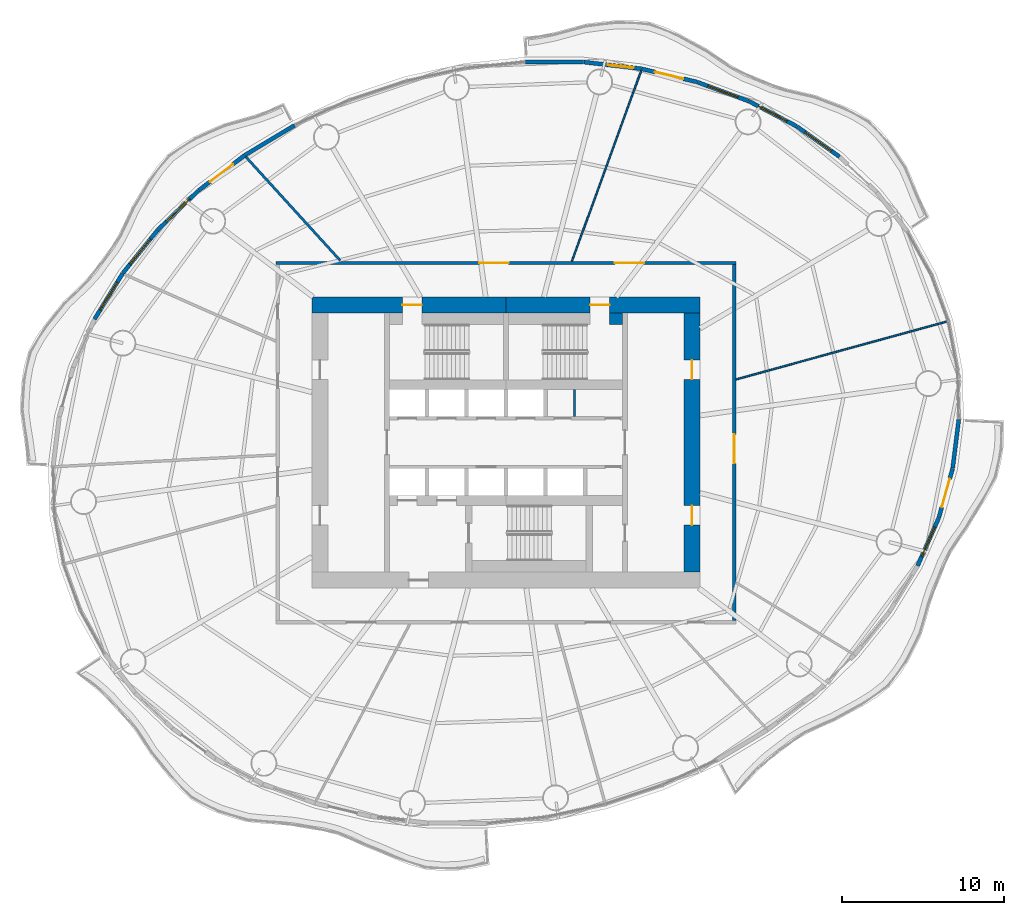
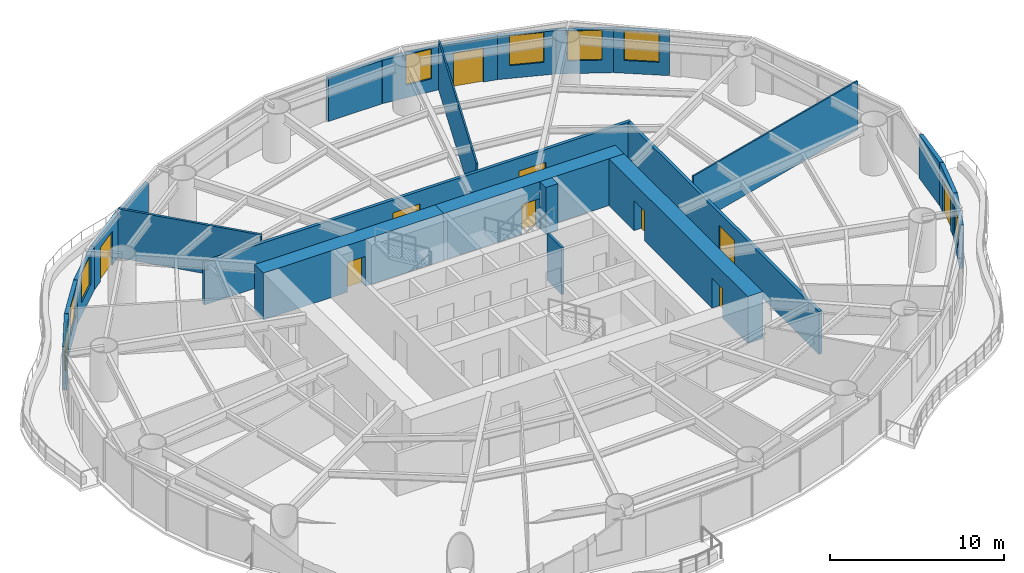
# One storey, part 10 of 16: 24 walls, 10 doors, 8 windows, 18 openings.
"""IFC4 building model written with IfcOpenShell, lengths in metres."""

from ifc_helpers import new_model, si_unit, direction, frame, frame_2d, origin, place, context, subcontext, project, spatial, rectangle, extrude, material, layer, layer_set, type_object, element, fill, save


model = new_model("IFC4")

# Units and contexts
model_context = context("Model", 3, precision=1e-05, world=origin(), true_north=direction((0.0, 1.0)))
body_context = subcontext(model_context, "Body", "Model", "MODEL_VIEW")
ifc_project = project(units=[si_unit("LENGTHUNIT", "METRE"), si_unit("AREAUNIT", "SQUARE_METRE"), si_unit("VOLUMEUNIT", "CUBIC_METRE"), si_unit("PLANEANGLEUNIT", "RADIAN"), si_unit("MASSUNIT", "GRAM", prefix="KILO")], contexts=[model_context])

# Site, building, storey
site_placement = place(None, origin())
site = spatial("IfcSite", under=ifc_project, at=site_placement, CompositionType="ELEMENT")
building_placement = place(site_placement, origin())
building = spatial("IfcBuilding", under=site, at=building_placement, Name="Vermilion Reach Broadcast Tower", CompositionType="ELEMENT")
storey_placement = place(building_placement, frame((0.0, 0.0, 95.800048828125)))
storey = spatial("IfcBuildingStorey", under=building, at=storey_placement, Name="L21", CompositionType="ELEMENT", Elevation=95.800048828125)

# Wall, opening, door
ifc_material_1 = material(Name="Concrete C70", Category="concrete")
ifc_layer_1 = layer(ifc_material_1, 1.0)
ifc_layer_set_1 = layer_set([ifc_layer_1], Name="Core outer wall 1000 mm Concrete C70")
wall_type_1 = type_object("IfcWallType", Name="Core outer wall 1000 mm Concrete C70", PredefinedType="SHEAR", material=ifc_layer_set_1)
wall_1_placement = place(storey_placement, frame((6.0, 8.5, 0.0), z_axis=(0.0, 0.0, 1.0), x_axis=(-1.0, 0.0, 0.0)))
wall_1 = element("IfcWall", 1, at=wall_1_placement, inside=storey, type_object=wall_type_1, Name="L21 core wall onE", PredefinedType="SHEAR", context=body_context, shape_type="SweptSolid", body=[
    extrude(rectangle(XDim=12.0, YDim=1.0, at=frame_2d((6.0, 0.0))), origin(), (0.0, 0.0, 1.0), 3.300048828125),
])
opening_1_placement = place(wall_1_placement, frame((5.60009765625, 0.0, 0.0)))
opening_1 = element("IfcOpeningElement", 2, at=opening_1_placement, cuts=wall_1, Name="Opening D01", PredefinedType="OPENING", context=body_context, shape_type="SweptSolid", body=[
    extrude(rectangle(XDim=1.199951171875, YDim=2.10009765625, at=frame_2d((0.60009765625, 1.050048828125))), frame((0.0, 0.510009765625, 0.0), z_axis=(0.0, -1.0, 0.0), x_axis=(1.0, 0.0, 0.0)), (0.0, 0.0, 1.0), 1.02001953125),
])
ifc_material_2 = material(Name="Painted steel fire door", Category="steel")
door_type_1 = type_object("IfcDoorType", Name="Stair door 1200 x 2100", OperationType="DOUBLE_DOOR_SINGLE_SWING", PredefinedType="NOTDEFINED", material=ifc_material_2)
door_1_placement = place(opening_1_placement, origin())
door_1 = element("IfcDoor", 3, at=door_1_placement, inside=storey, type_object=door_type_1, Name="L21 stair door ST2", OperationType="DOUBLE_DOOR_SINGLE_SWING", OverallHeight=2.10009765625, OverallWidth=1.199951171875, PredefinedType="NOTDEFINED", context=body_context, shape_type="SweptSolid", body=[
    extrude(rectangle(XDim=1.199951171875, YDim=2.10009765625, at=frame_2d((0.60009765625, 1.050048828125))), frame((0.0, 0.02490234375, 0.0), z_axis=(0.0, -1.0, 0.0), x_axis=(1.0, 0.0, 0.0)), (0.0, 0.0, 1.0), 0.050048828125),
])
fill(opening_1, door_1)

wall_2_placement = place(storey_placement, frame((-6.0, 8.5, 0.0), z_axis=(0.0, 0.0, 1.0), x_axis=(-1.0, 0.0, 0.0)))
wall_2 = element("IfcWall", 4, at=wall_2_placement, inside=storey, type_object=wall_type_1, Name="L21 core wall onW", PredefinedType="SHEAR", context=body_context, shape_type="SweptSolid", body=[
    extrude(rectangle(XDim=12.0, YDim=1.0, at=frame_2d((6.0, 0.0))), origin(), (0.0, 0.0, 1.0), 3.300048828125),
])
opening_2_placement = place(wall_2_placement, frame((5.199951171875, 0.0, 0.0)))
opening_2 = element("IfcOpeningElement", 5, at=opening_2_placement, cuts=wall_2, Name="Opening D01", PredefinedType="OPENING", context=body_context, shape_type="SweptSolid", body=[
    extrude(rectangle(XDim=1.199951171875, YDim=2.10009765625, at=frame_2d((0.60009765625, 1.050048828125))), frame((0.0, 0.510009765625, 0.0), z_axis=(0.0, -1.0, 0.0), x_axis=(1.0, 0.0, 0.0)), (0.0, 0.0, 1.0), 1.02001953125),
])
door_2_placement = place(opening_2_placement, origin())
door_2 = element("IfcDoor", 6, at=door_2_placement, inside=storey, type_object=door_type_1, Name="L21 stair door ST1", OperationType="DOUBLE_DOOR_SINGLE_SWING", OverallHeight=2.10009765625, OverallWidth=1.199951171875, PredefinedType="NOTDEFINED", context=body_context, shape_type="SweptSolid", body=[
    extrude(rectangle(XDim=1.199951171875, YDim=2.10009765625, at=frame_2d((0.60009765625, 1.050048828125))), frame((0.0, 0.02490234375, 0.0), z_axis=(0.0, -1.0, 0.0), x_axis=(1.0, 0.0, 0.0)), (0.0, 0.0, 1.0), 0.050048828125),
])
fill(opening_2, door_2)

# Wall, openings, doors
wall_3_placement = place(storey_placement, frame((5.5, -8.0, 0.0), z_axis=(0.0, 0.0, 1.0), x_axis=(0.0, 1.0, 0.0)))
wall_3 = element("IfcWall", 7, at=wall_3_placement, inside=storey, type_object=wall_type_1, Name="L21 core wall oe", PredefinedType="SHEAR", context=body_context, shape_type="SweptSolid", body=[
    extrude(rectangle(XDim=16.0, YDim=1.0, at=frame_2d((8.0, 0.0))), origin(), (0.0, 0.0, 1.0), 3.300048828125),
])
opening_3_placement = place(wall_3_placement, frame((2.89990234375, 0.0, 0.0)))
opening_3 = element("IfcOpeningElement", 8, at=opening_3_placement, cuts=wall_3, Name="Opening D03", PredefinedType="OPENING", context=body_context, shape_type="SweptSolid", body=[
    extrude(rectangle(XDim=1.199951171875, YDim=2.10009765625, at=frame_2d((0.60009765625, 1.050048828125))), frame((0.0, 0.510009765625, 0.0), z_axis=(0.0, -1.0, 0.0), x_axis=(1.0, 0.0, 0.0)), (0.0, 0.0, 1.0), 1.02001953125),
])
opening_4_placement = place(wall_3_placement, frame((11.89990234375, 0.0, 0.0)))
opening_4 = element("IfcOpeningElement", 9, at=opening_4_placement, cuts=wall_3, Name="Opening D03", PredefinedType="OPENING", context=body_context, shape_type="SweptSolid", body=[
    extrude(rectangle(XDim=1.199951171875, YDim=2.10009765625, at=frame_2d((0.60009765625, 1.050048828125))), frame((0.0, 0.510009765625, 0.0), z_axis=(0.0, -1.0, 0.0), x_axis=(1.0, 0.0, 0.0)), (0.0, 0.0, 1.0), 1.02001953125),
])
ifc_material_3 = material(Name="Painted steel fire door", Category="steel")
door_type_2 = type_object("IfcDoorType", Name="Core lobby door 1200 x 2100", OperationType="DOUBLE_DOOR_SINGLE_SWING", PredefinedType="NOTDEFINED", material=ifc_material_3)
door_3_placement = place(opening_3_placement, origin())
door_3 = element("IfcDoor", 10, at=door_3_placement, inside=storey, type_object=door_type_2, Name="L21 slot door E0", OperationType="DOUBLE_DOOR_SINGLE_SWING", OverallHeight=2.10009765625, OverallWidth=1.199951171875, PredefinedType="NOTDEFINED", context=body_context, shape_type="SweptSolid", body=[
    extrude(rectangle(XDim=1.199951171875, YDim=2.10009765625, at=frame_2d((0.60009765625, 1.050048828125))), frame((0.0, 0.02490234375, 0.0), z_axis=(0.0, -1.0, 0.0), x_axis=(1.0, 0.0, 0.0)), (0.0, 0.0, 1.0), 0.050048828125),
])
fill(opening_3, door_3)
door_4_placement = place(opening_4_placement, origin())
door_4 = element("IfcDoor", 11, at=door_4_placement, inside=storey, type_object=door_type_2, Name="L21 slot door E1", OperationType="DOUBLE_DOOR_SINGLE_SWING", OverallHeight=2.10009765625, OverallWidth=1.199951171875, PredefinedType="NOTDEFINED", context=body_context, shape_type="SweptSolid", body=[
    extrude(rectangle(XDim=1.199951171875, YDim=2.10009765625, at=frame_2d((0.60009765625, 1.050048828125))), frame((0.0, 0.02490234375, 0.0), z_axis=(0.0, -1.0, 0.0), x_axis=(1.0, 0.0, 0.0)), (0.0, 0.0, 1.0), 0.050048828125),
])
fill(opening_4, door_4)

# Walls
ifc_material_4 = material(Name="Masonry block", Category="masonry")
ifc_layer_2 = layer(ifc_material_4, 0.14990234375)
ifc_layer_set_2 = layer_set([ifc_layer_2], Name="Core partition wall 150 mm Masonry block")
wall_type_2 = type_object("IfcWallType", Name="Core partition wall 150 mm Masonry block", PredefinedType="PARTITIONING", material=ifc_layer_set_2)
wall_4_placement = place(storey_placement, frame((-1.765380859375, 1.60009765625, 0.0), z_axis=(0.0, 0.0, 1.0), x_axis=(0.0, 1.0, 0.0)))
element("IfcWall", 12, at=wall_4_placement, inside=storey, type_object=wall_type_2, Name="L21 core wall prN4235", PredefinedType="PARTITIONING", context=body_context, shape_type="SweptSolid", body=[
    extrude(rectangle(XDim=1.679931640625, YDim=0.14990234375, at=frame_2d((0.83984375, 0.0))), origin(), (0.0, 0.0, 1.0), 3.300048828125),
])
ifc_material_5 = material(Name="Concrete C70", Category="concrete")
ifc_layer_3 = layer(ifc_material_5, 0.699951171875)
ifc_layer_set_3 = layer_set([ifc_layer_3], Name="Core stair wall 700 mm Concrete C70")
wall_type_3 = type_object("IfcWallType", Name="Core stair wall 700 mm Concrete C70", PredefinedType="SHEAR", material=ifc_layer_set_3)
wall_5_placement = place(storey_placement, frame((0.39990234375, 7.64990234375, 0.0), z_axis=(0.0, 0.0, 1.0), x_axis=(1.0, 0.0, 0.0)))
element("IfcWall", 13, at=wall_5_placement, inside=storey, type_object=wall_type_3, Name="L21 core wall l2b", PredefinedType="SHEAR", context=body_context, shape_type="SweptSolid", body=[
    extrude(rectangle(XDim=0.800048828125, YDim=0.699951171875, at=frame_2d((0.39990234375, 0.0))), origin(), (0.0, 0.0, 1.0), 3.300048828125),
])
ifc_material_6 = material(Name="Plasterboard on steel stud", Category="steel")
ifc_layer_4 = layer(ifc_material_6, 0.10009765625)
ifc_layer_set_4 = layer_set([ifc_layer_4], Name="Partition 100 steel stud")
wall_type_4 = type_object("IfcWallType", Name="Partition 100 steel stud", PredefinedType="PARTITIONING", material=ifc_layer_set_4)
wall_6_placement = place(storey_placement, frame((21.214599609375, 7.475830078125, 0.0), z_axis=(0.0, 0.0, 1.0), x_axis=(-0.964278731445, -0.264889652652, 0.0)))
element("IfcWall", 14, at=wall_6_placement, inside=storey, type_object=wall_type_4, Name="Partition 21.01", PredefinedType="PARTITIONING", context=body_context, shape_type="SweptSolid", body=[
    extrude(rectangle(XDim=13.483154296875, YDim=0.10009765625, at=frame_2d((6.74169921875, 0.0))), origin(), (0.0, 0.0, 1.0), 3.449951171875),
])
wall_7_placement = place(storey_placement, frame((2.353515625, 22.9794921875, 0.0), z_axis=(0.0, 0.0, 1.0), x_axis=(-0.341645953322, -0.93982873045, 0.0)))
element("IfcWall", 15, at=wall_7_placement, inside=storey, type_object=wall_type_4, Name="Partition 21.02", PredefinedType="PARTITIONING", context=body_context, shape_type="SweptSolid", body=[
    extrude(rectangle(XDim=12.515625, YDim=0.10009765625, at=frame_2d((6.2578125, 0.0))), origin(), (0.0, 0.0, 1.0), 3.449951171875),
])
ifc_material_7 = material(Name="Lightweight concrete block, plastered", Category="concrete")
ifc_layer_5 = layer(ifc_material_7, 0.14990234375)
ifc_layer_set_5 = layer_set([ifc_layer_5], Name="Partition 150 lightweight block")
wall_type_5 = type_object("IfcWallType", Name="Partition 150 lightweight block", PredefinedType="PARTITIONING", material=ifc_layer_set_5)
wall_8_placement = place(storey_placement, frame((-22.077880859375, 17.65771484375, 0.0), z_axis=(0.0, 0.0, 1.0), x_axis=(0.673255961177, -0.739409501386, 0.0)))
element("IfcWall", 16, at=wall_8_placement, inside=storey, type_object=wall_type_5, Name="Partition 21.03", PredefinedType="PARTITIONING", context=body_context, shape_type="SweptSolid", body=[
    extrude(rectangle(XDim=8.665283203125, YDim=0.14990234375, at=frame_2d((4.33251953125, 0.0))), origin(), (0.0, 0.0, 1.0), 3.449951171875),
])

# Wall, opening, window
ifc_material_8 = material(Name="Terracotta rainscreen cladding", Category="masonry")
ifc_layer_6 = layer(ifc_material_8, 0.25)
ifc_layer_set_6 = layer_set([ifc_layer_6], Name="Terracotta rainscreen wall 250")
wall_type_6 = type_object("IfcWallType", Name="Terracotta rainscreen wall 250", PredefinedType="SOLIDWALL", material=ifc_layer_set_6)
wall_9_placement = place(storey_placement, frame((14.61328125, 17.666015625, 0.0), z_axis=(0.0, 0.0, 1.0), x_axis=(-0.814693251173, 0.579892150742, 0.0)))
wall_9 = element("IfcWall", 17, at=wall_9_placement, inside=storey, type_object=wall_type_6, Name="External wall L21 04", PredefinedType="SOLIDWALL", context=body_context, shape_type="SweptSolid", body=[
    extrude(rectangle(XDim=3.2275390625, YDim=0.25, at=frame_2d((1.61376953125, 0.0))), origin(), (0.0, 0.0, 1.0), 3.050048828125),
])
opening_5_placement = place(wall_9_placement, frame((0.61376953125, 0.0, 0.89990234375)))
opening_5 = element("IfcOpeningElement", 18, at=opening_5_placement, cuts=wall_9, Name="Opening W03", PredefinedType="OPENING", context=body_context, shape_type="SweptSolid", body=[
    extrude(rectangle(XDim=2.0, YDim=2.10009765625, at=frame_2d((1.0, 1.050048828125))), frame((0.0, 0.135009765625, 0.0), z_axis=(0.0, -1.0, 0.0), x_axis=(1.0, 0.0, 0.0)), (0.0, 0.0, 1.0), 0.27001953125),
])
ifc_material_9 = material(Name="Low-e laminated clear glass in aluminium frame", Category="aluminium")
window_type_1 = type_object("IfcWindowType", Name="Punched window 2000 x 2100 sill 900", PartitioningType="SINGLE_PANEL", PredefinedType="WINDOW", material=ifc_material_9)
window_1_placement = place(opening_5_placement, origin())
window_1 = element("IfcWindow", 19, at=window_1_placement, inside=storey, type_object=window_type_1, Name="Window L21 04", OverallHeight=2.10009765625, OverallWidth=2.0, PartitioningType="SINGLE_PANEL", PredefinedType="WINDOW", context=body_context, shape_type="SweptSolid", body=[
    extrude(rectangle(XDim=2.0, YDim=2.10009765625, at=frame_2d((1.0, 1.050048828125))), frame((0.0, 0.030029296875, 0.0), z_axis=(0.0, -1.0, 0.0), x_axis=(1.0, 0.0, 0.0)), (0.0, 0.0, 1.0), 0.06005859375),
])
fill(opening_5, window_1)

wall_10_placement = place(storey_placement, frame((11.962646484375, 19.550537109375, 0.0), z_axis=(0.0, 0.0, 1.0), x_axis=(-0.885406232021, 0.464818033534, 0.0)))
wall_10 = element("IfcWall", 20, at=wall_10_placement, inside=storey, type_object=wall_type_6, Name="External wall L21 05", PredefinedType="SOLIDWALL", context=body_context, shape_type="SweptSolid", body=[
    extrude(rectangle(XDim=3.3173828125, YDim=0.25, at=frame_2d((1.65869140625, 0.0))), origin(), (0.0, 0.0, 1.0), 3.050048828125),
])
opening_6_placement = place(wall_10_placement, frame((0.65869140625, 0.0, 0.89990234375)))
opening_6 = element("IfcOpeningElement", 21, at=opening_6_placement, cuts=wall_10, Name="Opening W03", PredefinedType="OPENING", context=body_context, shape_type="SweptSolid", body=[
    extrude(rectangle(XDim=2.0, YDim=2.10009765625, at=frame_2d((1.0, 1.050048828125))), frame((0.0, 0.135009765625, 0.0), z_axis=(0.0, -1.0, 0.0), x_axis=(1.0, 0.0, 0.0)), (0.0, 0.0, 1.0), 0.27001953125),
])
window_2_placement = place(opening_6_placement, origin())
window_2 = element("IfcWindow", 22, at=window_2_placement, inside=storey, type_object=window_type_1, Name="Window L21 05", OverallHeight=2.10009765625, OverallWidth=2.0, PartitioningType="SINGLE_PANEL", PredefinedType="WINDOW", context=body_context, shape_type="SweptSolid", body=[
    extrude(rectangle(XDim=2.0, YDim=2.10009765625, at=frame_2d((1.0, 1.050048828125))), frame((0.0, 0.030029296875, 0.0), z_axis=(0.0, -1.0, 0.0), x_axis=(1.0, 0.0, 0.0)), (0.0, 0.0, 1.0), 0.06005859375),
])
fill(opening_6, window_2)

wall_11_placement = place(storey_placement, frame((9.00341796875, 21.102294921875, 0.0), z_axis=(0.0, 0.0, 1.0), x_axis=(-0.937635520113, 0.347619952567, 0.0)))
wall_11 = element("IfcWall", 23, at=wall_11_placement, inside=storey, type_object=wall_type_6, Name="External wall L21 06", PredefinedType="SOLIDWALL", context=body_context, shape_type="SweptSolid", body=[
    extrude(rectangle(XDim=3.408447265625, YDim=0.25, at=frame_2d((1.7041015625, 0.0))), origin(), (0.0, 0.0, 1.0), 3.050048828125),
])
opening_7_placement = place(wall_11_placement, frame((0.7041015625, 0.0, 0.89990234375)))
opening_7 = element("IfcOpeningElement", 24, at=opening_7_placement, cuts=wall_11, Name="Opening W03", PredefinedType="OPENING", context=body_context, shape_type="SweptSolid", body=[
    extrude(rectangle(XDim=2.0, YDim=2.10009765625, at=frame_2d((1.0, 1.050048828125))), frame((0.0, 0.135009765625, 0.0), z_axis=(0.0, -1.0, 0.0), x_axis=(1.0, 0.0, 0.0)), (0.0, 0.0, 1.0), 0.27001953125),
])
window_3_placement = place(opening_7_placement, origin())
window_3 = element("IfcWindow", 25, at=window_3_placement, inside=storey, type_object=window_type_1, Name="Window L21 06", OverallHeight=2.10009765625, OverallWidth=2.0, PartitioningType="SINGLE_PANEL", PredefinedType="WINDOW", context=body_context, shape_type="SweptSolid", body=[
    extrude(rectangle(XDim=2.0, YDim=2.10009765625, at=frame_2d((1.0, 1.050048828125))), frame((0.0, 0.030029296875, 0.0), z_axis=(0.0, -1.0, 0.0), x_axis=(1.0, 0.0, 0.0)), (0.0, 0.0, 1.0), 0.06005859375),
])
fill(opening_7, window_3)

# Wall, opening, door
wall_12_placement = place(storey_placement, frame((5.785400390625, 22.2939453125, 0.0), z_axis=(0.0, 0.0, 1.0), x_axis=(-0.973010541171, 0.230760669895, 0.0)))
wall_12 = element("IfcWall", 26, at=wall_12_placement, inside=storey, type_object=wall_type_6, Name="External wall L21 07", PredefinedType="SOLIDWALL", context=body_context, shape_type="SweptSolid", body=[
    extrude(rectangle(XDim=3.493408203125, YDim=0.25, at=frame_2d((1.74658203125, 0.0))), origin(), (0.0, 0.0, 1.0), 3.050048828125),
])
opening_8_placement = place(wall_12_placement, frame((0.846923828125, 0.0, 0.0)))
opening_8 = element("IfcOpeningElement", 27, at=opening_8_placement, cuts=wall_12, Name="Opening D70", PredefinedType="OPENING", context=body_context, shape_type="SweptSolid", body=[
    extrude(rectangle(XDim=1.800048828125, YDim=2.39990234375, at=frame_2d((0.89990234375, 1.199951171875))), frame((0.0, 0.135009765625, 0.0), z_axis=(0.0, -1.0, 0.0), x_axis=(1.0, 0.0, 0.0)), (0.0, 0.0, 1.0), 0.27001953125),
])
ifc_material_10 = material(Name="Low-e laminated clear glass in aluminium frame", Category="aluminium")
door_type_3 = type_object("IfcDoorType", Name="Balcony sliding door 1800 x 2400", OperationType="DOUBLE_DOOR_SLIDING", PredefinedType="DOOR", material=ifc_material_10)
door_5_placement = place(opening_8_placement, origin())
door_5 = element("IfcDoor", 28, at=door_5_placement, inside=storey, type_object=door_type_3, Name="Balcony door L21 run 02", OperationType="DOUBLE_DOOR_SLIDING", OverallHeight=2.39990234375, OverallWidth=1.800048828125, PredefinedType="DOOR", context=body_context, shape_type="SweptSolid", body=[
    extrude(rectangle(XDim=1.800048828125, YDim=2.39990234375, at=frame_2d((0.89990234375, 1.199951171875))), frame((0.0, 0.02490234375, 0.0), z_axis=(0.0, -1.0, 0.0), x_axis=(1.0, 0.0, 0.0)), (0.0, 0.0, 1.0), 0.050048828125),
])
fill(opening_8, door_5)

# Wall, opening, window
wall_13_placement = place(storey_placement, frame((2.364013671875, 23.10400390625, 0.0), z_axis=(0.0, 0.0, 1.0), x_axis=(-0.993283992759, 0.115701813856, 0.0)))
wall_13 = element("IfcWall", 29, at=wall_13_placement, inside=storey, type_object=wall_type_6, Name="External wall L21 08", PredefinedType="SOLIDWALL", context=body_context, shape_type="SweptSolid", body=[
    extrude(rectangle(XDim=3.568115234375, YDim=0.25, at=frame_2d((1.7841796875, 0.0))), origin(), (0.0, 0.0, 1.0), 3.050048828125),
])
opening_9_placement = place(wall_13_placement, frame((0.48388671875, 0.0, 0.89990234375)))
opening_9 = element("IfcOpeningElement", 30, at=opening_9_placement, cuts=wall_13, Name="Opening W04", PredefinedType="OPENING", context=body_context, shape_type="SweptSolid", body=[
    extrude(rectangle(XDim=1.60009765625, YDim=2.10009765625, at=frame_2d((0.800048828125, 1.050048828125))), frame((0.0, 0.135009765625, 0.0), z_axis=(0.0, -1.0, 0.0), x_axis=(1.0, 0.0, 0.0)), (0.0, 0.0, 1.0), 0.27001953125),
])
ifc_material_11 = material(Name="Low-e laminated clear glass in aluminium frame", Category="aluminium")
window_type_2 = type_object("IfcWindowType", Name="Punched window 1600 x 2100 sill 900", PartitioningType="SINGLE_PANEL", PredefinedType="WINDOW", material=ifc_material_11)
window_4_placement = place(opening_9_placement, origin())
window_4 = element("IfcWindow", 31, at=window_4_placement, inside=storey, type_object=window_type_2, Name="Window L21 08", OverallHeight=2.10009765625, OverallWidth=1.60009765625, PartitioningType="SINGLE_PANEL", PredefinedType="WINDOW", context=body_context, shape_type="SweptSolid", body=[
    extrude(rectangle(XDim=1.60009765625, YDim=2.10009765625, at=frame_2d((0.800048828125, 1.050048828125))), frame((0.0, 0.030029296875, 0.0), z_axis=(0.0, -1.0, 0.0), x_axis=(1.0, 0.0, 0.0)), (0.0, 0.0, 1.0), 0.06005859375),
])
fill(opening_9, window_4)

# Walls
wall_14_placement = place(storey_placement, frame((-1.2021484375, 23.51806640625, 0.0), z_axis=(0.0, 0.0, 1.0), x_axis=(-0.999994874108, 0.003201836575, 0.0)))
element("IfcWall", 32, at=wall_14_placement, inside=storey, type_object=wall_type_6, Name="External wall L21 09", PredefinedType="SOLIDWALL", context=body_context, shape_type="SweptSolid", body=[
    extrude(rectangle(XDim=3.583740234375, YDim=0.25, at=frame_2d((1.7919921875, 0.0))), origin(), (0.0, 0.0, 1.0), 3.050048828125),
])
wall_15_placement = place(storey_placement, frame((-19.0634765625, 19.607666015625, 0.0), z_axis=(0.0, 0.0, 1.0), x_axis=(-0.858051412051, -0.51356379767, 0.0)))
element("IfcWall", 33, at=wall_15_placement, inside=storey, type_object=wall_type_6, Name="External wall L21 14", PredefinedType="SOLIDWALL", context=body_context, shape_type="SweptSolid", body=[
    extrude(rectangle(XDim=3.583984375, YDim=0.25, at=frame_2d((1.7919921875, 0.0))), origin(), (0.0, 0.0, 1.0), 3.050048828125),
])

# Wall, opening, door
wall_16_placement = place(storey_placement, frame((-22.15673828125, 17.754638671875, 0.0), z_axis=(0.0, 0.0, 1.0), x_axis=(-0.794806214146, -0.606863314063, 0.0)))
wall_16 = element("IfcWall", 34, at=wall_16_placement, inside=storey, type_object=wall_type_6, Name="External wall L21 15", PredefinedType="SOLIDWALL", context=body_context, shape_type="SweptSolid", body=[
    extrude(rectangle(XDim=3.568359375, YDim=0.25, at=frame_2d((1.7841796875, 0.0))), origin(), (0.0, 0.0, 1.0), 3.050048828125),
])
opening_10_placement = place(wall_16_placement, frame((0.884033203125, 0.0, 0.0)))
opening_10 = element("IfcOpeningElement", 35, at=opening_10_placement, cuts=wall_16, Name="Opening D70", PredefinedType="OPENING", context=body_context, shape_type="SweptSolid", body=[
    extrude(rectangle(XDim=1.800048828125, YDim=2.39990234375, at=frame_2d((0.89990234375, 1.199951171875))), frame((0.0, 0.135009765625, 0.0), z_axis=(0.0, -1.0, 0.0), x_axis=(1.0, 0.0, 0.0)), (0.0, 0.0, 1.0), 0.27001953125),
])
door_6_placement = place(opening_10_placement, origin())
door_6 = element("IfcDoor", 36, at=door_6_placement, inside=storey, type_object=door_type_3, Name="Balcony door L21 run 04", OperationType="DOUBLE_DOOR_SLIDING", OverallHeight=2.39990234375, OverallWidth=1.800048828125, PredefinedType="DOOR", context=body_context, shape_type="SweptSolid", body=[
    extrude(rectangle(XDim=1.800048828125, YDim=2.39990234375, at=frame_2d((0.89990234375, 1.199951171875))), frame((0.0, 0.02490234375, 0.0), z_axis=(0.0, -1.0, 0.0), x_axis=(1.0, 0.0, 0.0)), (0.0, 0.0, 1.0), 0.050048828125),
])
fill(opening_10, door_6)

# Wall, opening, window
wall_17_placement = place(storey_placement, frame((-25.010009765625, 15.574462890625, 0.0), z_axis=(0.0, 0.0, 1.0), x_axis=(-0.718578482656, -0.695445874432, 0.0)))
wall_17 = element("IfcWall", 37, at=wall_17_placement, inside=storey, type_object=wall_type_6, Name="External wall L21 16", PredefinedType="SOLIDWALL", context=body_context, shape_type="SweptSolid", body=[
    extrude(rectangle(XDim=3.493408203125, YDim=0.25, at=frame_2d((1.74658203125, 0.0))), origin(), (0.0, 0.0, 1.0), 3.050048828125),
])
opening_11_placement = place(wall_17_placement, frame((0.746826171875, 0.0, 0.89990234375)))
opening_11 = element("IfcOpeningElement", 38, at=opening_11_placement, cuts=wall_17, Name="Opening W03", PredefinedType="OPENING", context=body_context, shape_type="SweptSolid", body=[
    extrude(rectangle(XDim=2.0, YDim=2.10009765625, at=frame_2d((1.0, 1.050048828125))), frame((0.0, 0.135009765625, 0.0), z_axis=(0.0, -1.0, 0.0), x_axis=(1.0, 0.0, 0.0)), (0.0, 0.0, 1.0), 0.27001953125),
])
window_5_placement = place(opening_11_placement, origin())
window_5 = element("IfcWindow", 39, at=window_5_placement, inside=storey, type_object=window_type_1, Name="Window L21 16", OverallHeight=2.10009765625, OverallWidth=2.0, PartitioningType="SINGLE_PANEL", PredefinedType="WINDOW", context=body_context, shape_type="SweptSolid", body=[
    extrude(rectangle(XDim=2.0, YDim=2.10009765625, at=frame_2d((1.0, 1.050048828125))), frame((0.0, 0.030029296875, 0.0), z_axis=(0.0, -1.0, 0.0), x_axis=(1.0, 0.0, 0.0)), (0.0, 0.0, 1.0), 0.06005859375),
])
fill(opening_11, window_5)

wall_18_placement = place(storey_placement, frame((-27.535888671875, 13.127685546875, 0.0), z_axis=(0.0, 0.0, 1.0), x_axis=(-0.62851383429, -0.777798405826, 0.0)))
wall_18 = element("IfcWall", 40, at=wall_18_placement, inside=storey, type_object=wall_type_6, Name="External wall L21 17", PredefinedType="SOLIDWALL", context=body_context, shape_type="SweptSolid", body=[
    extrude(rectangle(XDim=3.408203125, YDim=0.25, at=frame_2d((1.7041015625, 0.0))), origin(), (0.0, 0.0, 1.0), 3.050048828125),
])
opening_12_placement = place(wall_18_placement, frame((0.7041015625, 0.0, 0.89990234375)))
opening_12 = element("IfcOpeningElement", 41, at=opening_12_placement, cuts=wall_18, Name="Opening W03", PredefinedType="OPENING", context=body_context, shape_type="SweptSolid", body=[
    extrude(rectangle(XDim=2.0, YDim=2.10009765625, at=frame_2d((1.0, 1.050048828125))), frame((0.0, 0.135009765625, 0.0), z_axis=(0.0, -1.0, 0.0), x_axis=(1.0, 0.0, 0.0)), (0.0, 0.0, 1.0), 0.27001953125),
])
window_6_placement = place(opening_12_placement, origin())
window_6 = element("IfcWindow", 42, at=window_6_placement, inside=storey, type_object=window_type_1, Name="Window L21 17", OverallHeight=2.10009765625, OverallWidth=2.0, PartitioningType="SINGLE_PANEL", PredefinedType="WINDOW", context=body_context, shape_type="SweptSolid", body=[
    extrude(rectangle(XDim=2.0, YDim=2.10009765625, at=frame_2d((1.0, 1.050048828125))), frame((0.0, 0.030029296875, 0.0), z_axis=(0.0, -1.0, 0.0), x_axis=(1.0, 0.0, 0.0)), (0.0, 0.0, 1.0), 0.06005859375),
])
fill(opening_12, window_6)

wall_19_placement = place(storey_placement, frame((-29.69189453125, 10.457275390625, 0.0), z_axis=(0.0, 0.0, 1.0), x_axis=(-0.523740167925, -0.851878064339, 0.0)))
wall_19 = element("IfcWall", 43, at=wall_19_placement, inside=storey, type_object=wall_type_6, Name="External wall L21 18", PredefinedType="SOLIDWALL", context=body_context, shape_type="SweptSolid", body=[
    extrude(rectangle(XDim=3.317626953125, YDim=0.25, at=frame_2d((1.65869140625, 0.0))), origin(), (0.0, 0.0, 1.0), 3.050048828125),
])
opening_13_placement = place(wall_19_placement, frame((0.65869140625, 0.0, 0.89990234375)))
opening_13 = element("IfcOpeningElement", 44, at=opening_13_placement, cuts=wall_19, Name="Opening W03", PredefinedType="OPENING", context=body_context, shape_type="SweptSolid", body=[
    extrude(rectangle(XDim=2.0, YDim=2.10009765625, at=frame_2d((1.0, 1.050048828125))), frame((0.0, 0.135009765625, 0.0), z_axis=(0.0, -1.0, 0.0), x_axis=(1.0, 0.0, 0.0)), (0.0, 0.0, 1.0), 0.27001953125),
])
window_7_placement = place(opening_13_placement, origin())
window_7 = element("IfcWindow", 45, at=window_7_placement, inside=storey, type_object=window_type_1, Name="Window L21 18", OverallHeight=2.10009765625, OverallWidth=2.0, PartitioningType="SINGLE_PANEL", PredefinedType="WINDOW", context=body_context, shape_type="SweptSolid", body=[
    extrude(rectangle(XDim=2.0, YDim=2.10009765625, at=frame_2d((1.0, 1.050048828125))), frame((0.0, 0.030029296875, 0.0), z_axis=(0.0, -1.0, 0.0), x_axis=(1.0, 0.0, 0.0)), (0.0, 0.0, 1.0), 0.06005859375),
])
fill(opening_13, window_7)

wall_20_placement = place(storey_placement, frame((19.44091796875, -7.609130859375, 0.0), z_axis=(0.0, 0.0, 1.0), x_axis=(0.404074069782, 0.914726268416, 0.0)))
wall_20 = element("IfcWall", 46, at=wall_20_placement, inside=storey, type_object=wall_type_6, Name="External wall L21 43", PredefinedType="SOLIDWALL", context=body_context, shape_type="SweptSolid", body=[
    extrude(rectangle(XDim=3.2275390625, YDim=0.25, at=frame_2d((1.61376953125, 0.0))), origin(), (0.0, 0.0, 1.0), 3.050048828125),
])
opening_14_placement = place(wall_20_placement, frame((0.61376953125, 0.0, 0.89990234375)))
opening_14 = element("IfcOpeningElement", 47, at=opening_14_placement, cuts=wall_20, Name="Opening W03", PredefinedType="OPENING", context=body_context, shape_type="SweptSolid", body=[
    extrude(rectangle(XDim=2.0, YDim=2.10009765625, at=frame_2d((1.0, 1.050048828125))), frame((0.0, 0.135009765625, 0.0), z_axis=(0.0, -1.0, 0.0), x_axis=(1.0, 0.0, 0.0)), (0.0, 0.0, 1.0), 0.27001953125),
])
window_8_placement = place(opening_14_placement, origin())
window_8 = element("IfcWindow", 48, at=window_8_placement, inside=storey, type_object=window_type_1, Name="Window L21 43", OverallHeight=2.10009765625, OverallWidth=2.0, PartitioningType="SINGLE_PANEL", PredefinedType="WINDOW", context=body_context, shape_type="SweptSolid", body=[
    extrude(rectangle(XDim=2.0, YDim=2.10009765625, at=frame_2d((1.0, 1.050048828125))), frame((0.0, 0.030029296875, 0.0), z_axis=(0.0, -1.0, 0.0), x_axis=(1.0, 0.0, 0.0)), (0.0, 0.0, 1.0), 0.06005859375),
])
fill(opening_14, window_8)

# Wall, opening, door
wall_21_placement = place(storey_placement, frame((20.75390625, -4.632568359375, 0.0), z_axis=(0.0, 0.0, 1.0), x_axis=(0.27027785562, 0.962782364173, 0.0)))
wall_21 = element("IfcWall", 49, at=wall_21_placement, inside=storey, type_object=wall_type_6, Name="External wall L21 44", PredefinedType="SOLIDWALL", context=body_context, shape_type="SweptSolid", body=[
    extrude(rectangle(XDim=3.144287109375, YDim=0.25, at=frame_2d((1.572265625, 0.0))), origin(), (0.0, 0.0, 1.0), 3.050048828125),
])
opening_15_placement = place(wall_21_placement, frame((0.672119140625, 0.0, 0.0)))
opening_15 = element("IfcOpeningElement", 50, at=opening_15_placement, cuts=wall_21, Name="Opening D70", PredefinedType="OPENING", context=body_context, shape_type="SweptSolid", body=[
    extrude(rectangle(XDim=1.800048828125, YDim=2.39990234375, at=frame_2d((0.89990234375, 1.199951171875))), frame((0.0, 0.135009765625, 0.0), z_axis=(0.0, -1.0, 0.0), x_axis=(1.0, 0.0, 0.0)), (0.0, 0.0, 1.0), 0.27001953125),
])
door_7_placement = place(opening_15_placement, origin())
door_7 = element("IfcDoor", 51, at=door_7_placement, inside=storey, type_object=door_type_3, Name="Balcony door L21 run 11", OperationType="DOUBLE_DOOR_SLIDING", OverallHeight=2.39990234375, OverallWidth=1.800048828125, PredefinedType="DOOR", context=body_context, shape_type="SweptSolid", body=[
    extrude(rectangle(XDim=1.800048828125, YDim=2.39990234375, at=frame_2d((0.89990234375, 1.199951171875))), frame((0.0, 0.02490234375, 0.0), z_axis=(0.0, -1.0, 0.0), x_axis=(1.0, 0.0, 0.0)), (0.0, 0.0, 1.0), 0.050048828125),
])
fill(opening_15, door_7)

# Wall
wall_22_placement = place(storey_placement, frame((21.60888671875, -1.5791015625, 0.0), z_axis=(0.0, 0.0, 1.0), x_axis=(0.124351721446, 0.992238201932, 0.0)))
element("IfcWall", 52, at=wall_22_placement, inside=storey, type_object=wall_type_6, Name="External wall L21 45", PredefinedType="SOLIDWALL", context=body_context, shape_type="SweptSolid", body=[
    extrude(rectangle(XDim=3.033203125, YDim=0.25, at=frame_2d((1.5166015625, 0.0))), origin(), (0.0, 0.0, 1.0), 3.050048828125),
])

# Wall, openings, doors
ifc_material_12 = material(Name="Fire-rated gypsum board partition")
ifc_layer_7 = layer(ifc_material_12, 0.199951171875)
ifc_layer_set_7 = layer_set([ifc_layer_7], Name="Under girder: Corridor wall 200 fire-rated")
wall_type_7 = type_object("IfcWallType", Name="Under girder: Corridor wall 200 fire-rated", PredefinedType="PARTITIONING", material=ifc_layer_set_7)
wall_23_placement = place(storey_placement, frame((-20.199951171875, 11.10009765625, 0.0), z_axis=(0.0, 0.0, 1.0), x_axis=(1.0, 0.0, 0.0)))
wall_23 = element("IfcWall", 53, at=wall_23_placement, inside=storey, type_object=wall_type_7, Name="Corridor wall 21.N", PredefinedType="PARTITIONING", context=body_context, shape_type="SweptSolid", body=[
    extrude(rectangle(XDim=28.39990234375, YDim=0.199951171875, at=frame_2d((14.199951171875, 0.0))), origin(), (0.0, 0.0, 1.0), 3.0),
])
opening_16_placement = place(wall_23_placement, frame((20.929931640625, 0.0, 0.0)))
opening_16 = element("IfcOpeningElement", 54, at=opening_16_placement, cuts=wall_23, Name="Opening D21", PredefinedType="OPENING", context=body_context, shape_type="SweptSolid", body=[
    extrude(rectangle(XDim=1.800048828125, YDim=2.10009765625, at=frame_2d((0.89990234375, 1.050048828125))), frame((0.0, 0.10986328125, 0.0), z_axis=(0.0, -1.0, 0.0), x_axis=(1.0, 0.0, 0.0)), (0.0, 0.0, 1.0), 0.219970703125),
])
opening_17_placement = place(wall_23_placement, frame((12.560546875, 0.0, 0.0)))
opening_17 = element("IfcOpeningElement", 55, at=opening_17_placement, cuts=wall_23, Name="Opening D21", PredefinedType="OPENING", context=body_context, shape_type="SweptSolid", body=[
    extrude(rectangle(XDim=1.800048828125, YDim=2.10009765625, at=frame_2d((0.89990234375, 1.050048828125))), frame((0.0, 0.10986328125, 0.0), z_axis=(0.0, -1.0, 0.0), x_axis=(1.0, 0.0, 0.0)), (0.0, 0.0, 1.0), 0.219970703125),
])
ifc_material_13 = material(Name="Timber door leaf", Category="wood")
door_type_4 = type_object("IfcDoorType", Name="Door pair 1800x2100", OperationType="NOTDEFINED", PredefinedType="DOOR", material=ifc_material_13)
door_8_placement = place(opening_16_placement, origin())
door_8 = element("IfcDoor", 56, at=door_8_placement, inside=storey, type_object=door_type_4, Name="Door 21.01", OperationType="DOUBLE_DOOR_SINGLE_SWING", OverallHeight=2.10009765625, OverallWidth=1.800048828125, PredefinedType="DOOR", context=body_context, shape_type="SweptSolid", body=[
    extrude(rectangle(XDim=1.800048828125, YDim=2.10009765625, at=frame_2d((0.89990234375, 1.050048828125))), frame((0.0, 0.02490234375, 0.0), z_axis=(0.0, -1.0, 0.0), x_axis=(1.0, 0.0, 0.0)), (0.0, 0.0, 1.0), 0.050048828125),
])
fill(opening_16, door_8)
door_9_placement = place(opening_17_placement, origin())
door_9 = element("IfcDoor", 57, at=door_9_placement, inside=storey, type_object=door_type_4, Name="Door 21.02", OperationType="DOUBLE_DOOR_SINGLE_SWING", OverallHeight=2.10009765625, OverallWidth=1.800048828125, PredefinedType="DOOR", context=body_context, shape_type="SweptSolid", body=[
    extrude(rectangle(XDim=1.800048828125, YDim=2.10009765625, at=frame_2d((0.89990234375, 1.050048828125))), frame((0.0, 0.02490234375, 0.0), z_axis=(0.0, -1.0, 0.0), x_axis=(1.0, 0.0, 0.0)), (0.0, 0.0, 1.0), 0.050048828125),
])
fill(opening_17, door_9)

# Wall, opening, door
wall_24_placement = place(storey_placement, frame((8.10009765625, 11.0, 0.0), z_axis=(0.0, 0.0, 1.0), x_axis=(0.0, -1.0, 0.0)))
wall_24 = element("IfcWall", 58, at=wall_24_placement, inside=storey, type_object=wall_type_7, Name="Corridor wall 21.E", PredefinedType="PARTITIONING", context=body_context, shape_type="SweptSolid", body=[
    extrude(rectangle(XDim=22.0, YDim=0.199951171875, at=frame_2d((11.0, 0.0))), origin(), (0.0, 0.0, 1.0), 3.0),
])
opening_18_placement = place(wall_24_placement, frame((10.48828125, 0.0, 0.0)))
opening_18 = element("IfcOpeningElement", 59, at=opening_18_placement, cuts=wall_24, Name="Opening D21", PredefinedType="OPENING", context=body_context, shape_type="SweptSolid", body=[
    extrude(rectangle(XDim=1.800048828125, YDim=2.10009765625, at=frame_2d((0.89990234375, 1.050048828125))), frame((0.0, 0.10986328125, 0.0), z_axis=(0.0, -1.0, 0.0), x_axis=(1.0, 0.0, 0.0)), (0.0, 0.0, 1.0), 0.219970703125),
])
door_10_placement = place(opening_18_placement, origin())
door_10 = element("IfcDoor", 60, at=door_10_placement, inside=storey, type_object=door_type_4, Name="Door 21.10", OperationType="DOUBLE_DOOR_SINGLE_SWING", OverallHeight=2.10009765625, OverallWidth=1.800048828125, PredefinedType="DOOR", context=body_context, shape_type="SweptSolid", body=[
    extrude(rectangle(XDim=1.800048828125, YDim=2.10009765625, at=frame_2d((0.89990234375, 1.050048828125))), frame((0.0, 0.02490234375, 0.0), z_axis=(0.0, -1.0, 0.0), x_axis=(1.0, 0.0, 0.0)), (0.0, 0.0, 1.0), 0.050048828125),
])
fill(opening_18, door_10)

save(model, "model.ifc")
